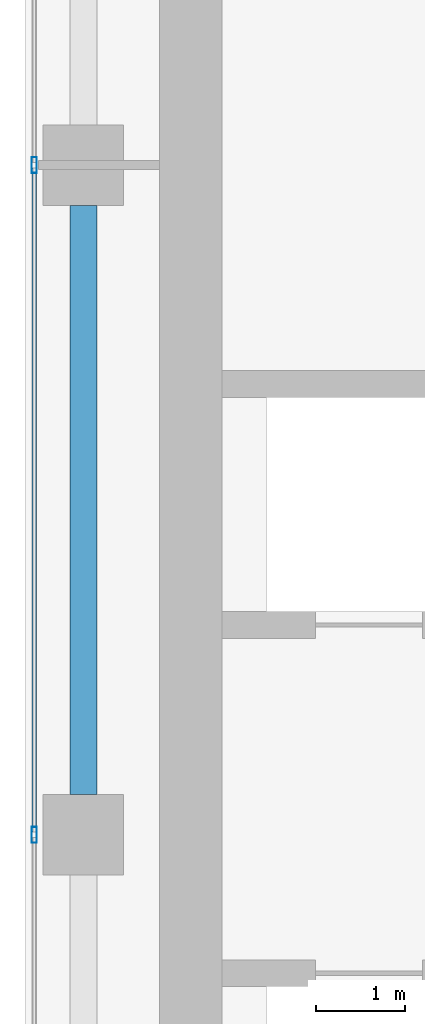
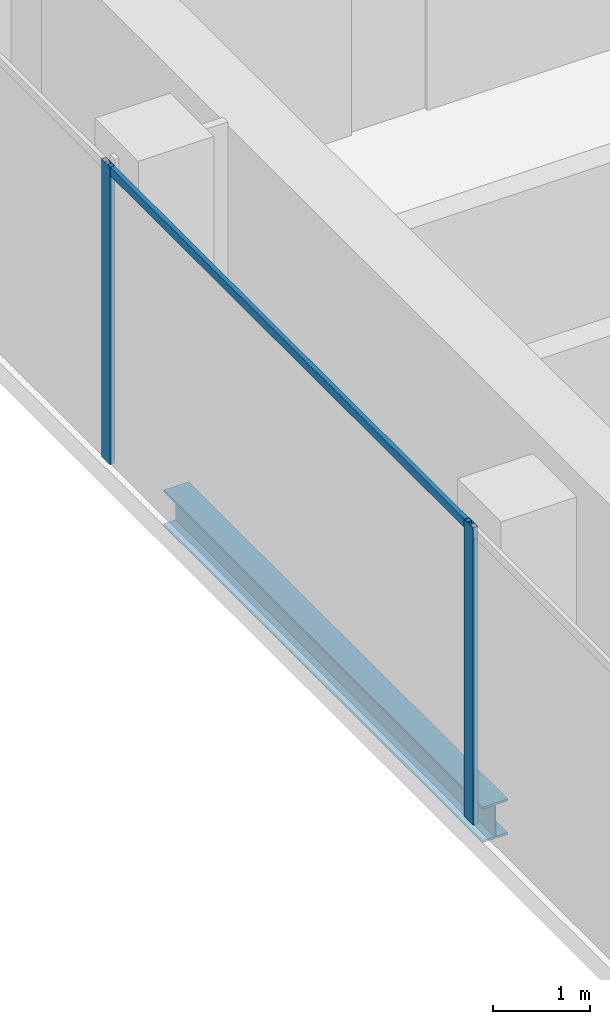
# One storey, part 8 of 35: 3 members, 1 beam, 1 element without a shape of its own.
"""IFC4 building model written with IfcOpenShell, lengths in metres."""

from ifc_helpers import new_model, si_unit, direction, frame, origin, origin_2d, place, context, subcontext, project, spatial, hollow_rectangle, i_section, extrude, source, transform, mapped, material, material_profile, profile_set, type_object, element, aggregate, save


model = new_model("IFC4")

# Units and contexts
model_context = context("Model", 3, precision=1e-05, world=origin(), true_north=direction((0.0, 1.0)))
body_context = subcontext(model_context, "Body", "Model", "MODEL_VIEW")
ifc_project = project(units=[si_unit("LENGTHUNIT", "METRE"), si_unit("AREAUNIT", "SQUARE_METRE"), si_unit("VOLUMEUNIT", "CUBIC_METRE"), si_unit("PLANEANGLEUNIT", "RADIAN"), si_unit("MASSUNIT", "GRAM", prefix="KILO")], contexts=[model_context])

# Site, building, storey
site_placement = place(None, origin())
site = spatial("IfcSite", under=ifc_project, at=site_placement, CompositionType="ELEMENT")
building_placement = place(site_placement, origin())
building = spatial("IfcBuilding", under=site, at=building_placement, Name="Khomas Fold Tower", CompositionType="ELEMENT")
storey_placement = place(building_placement, frame((0.0, 0.0, 270.199951171875)))
storey = spatial("IfcBuildingStorey", under=building, at=storey_placement, Name="L61", CompositionType="ELEMENT", Elevation=270.199951171875)

# Beam
ifc_material_1 = material(Name="Steel S355", Category="steel")
ifc_material_profile_1 = material_profile(ifc_material_1, i_section(OverallWidth=0.300048828125, OverallDepth=0.449951171875, WebThickness=0.013916015625, FlangeThickness=0.02587890625, at=origin_2d()), Name="HE 450 B")
ifc_profile_set_1 = profile_set([ifc_material_profile_1], Name="Steel S355")
beam_type = type_object("IfcBeamType", Name="HE 450 B spandrel SB4", PredefinedType="SPANDREL", material=ifc_profile_set_1)
shared_shape_1 = source(origin(), body_context, "Body", "SweptSolid", [
    extrude(i_section(OverallWidth=0.300048828125, OverallDepth=0.449951171875, WebThickness=0.013916015625, FlangeThickness=0.02587890625, at=origin_2d()), origin(), (0.0, 0.0, 1.0), 6.60009765625),
])
beam_placement = place(storey_placement, frame((5.14990234375, 27.449951171875, -0.474853515625), z_axis=(0.0, 1.0, 0.0), x_axis=(-1.0, 0.0, 0.0)))
element("IfcBeam", 1, at=beam_placement, inside=storey, type_object=beam_type, Name="SB4", PredefinedType="SPANDREL", context=body_context, shape_type="MappedRepresentation", body=[
    mapped(shared_shape_1, transform((0.0, 0.0, 0.0))),
])

# Curtain wall, members
ifc_material_2 = material(Name="Aluminium framed double glazing", Category="aluminium")
curtain_wall_type = type_object("IfcCurtainWallType", Name="SK-Unitised clear-glass wall, office floors CW2", PredefinedType="NOTDEFINED", material=ifc_material_2)
curtain_wall_placement = place(storey_placement, origin())
curtain_wall = element("IfcCurtainWall", 2, at=curtain_wall_placement, inside=storey, type_object=curtain_wall_type, Name="CW2 run L61 09-0", PredefinedType="NOTDEFINED")
ifc_material_3 = material(Name="Aluminium", Category="aluminium")
ifc_material_profile_2 = material_profile(ifc_material_3, hollow_rectangle(XDim=0.06005859375, YDim=0.179931640625, WallThickness=0.00390625, at=origin_2d()), Name="SK-Unitised clear-glass wall, office floors mullion CW2-M")
ifc_profile_set_2 = profile_set([ifc_material_profile_2], Name="Aluminium")
member_type_1 = type_object("IfcMemberType", Name="SK-Unitised clear-glass wall, office floors mullion CW2-M", PredefinedType="MULLION", material=ifc_profile_set_2)
shared_shape_2 = source(origin(), body_context, "Body", "SweptSolid", [
    extrude(hollow_rectangle(XDim=0.06005859375, YDim=0.179931640625, WallThickness=0.00390625, at=origin_2d()), origin(), (0.0, 0.0, 1.0), 3.75),
])
member_1_placement = place(storey_placement, frame((4.60009765625, 34.5, 0.0), z_axis=(0.0, 0.0, 1.0), x_axis=(1.0, 0.0, 0.0)))
member_1 = element("IfcMember", 3, at=member_1_placement, type_object=member_type_1, Name="CW2 mullion 3", PredefinedType="MULLION", context=body_context, shape_type="MappedRepresentation", body=[
    mapped(shared_shape_2, transform((0.0, 0.0, 0.0))),
])
member_2_placement = place(storey_placement, frame((4.60009765625, 27.0, 0.0), z_axis=(0.0, 0.0, 1.0), x_axis=(1.0, 0.0, 0.0)))
member_2 = element("IfcMember", 4, at=member_2_placement, type_object=member_type_1, Name="CW2 mullion 4", PredefinedType="MULLION", context=body_context, shape_type="MappedRepresentation", body=[
    mapped(shared_shape_2, transform((0.0, 0.0, 0.0))),
])
ifc_material_4 = material(Name="Aluminium", Category="aluminium")
ifc_material_profile_3 = material_profile(ifc_material_4, hollow_rectangle(XDim=0.050048828125, YDim=0.110107421875, WallThickness=0.00390625, at=origin_2d()), Name="SK-Unitised clear-glass wall, office floors transom CW2-T")
ifc_profile_set_3 = profile_set([ifc_material_profile_3], Name="Aluminium")
member_type_2 = type_object("IfcMemberType", Name="SK-Unitised clear-glass wall, office floors transom CW2-T", PredefinedType="USERDEFINED", material=ifc_profile_set_3)
shared_shape_3 = source(origin(), body_context, "Body", "SweptSolid", [
    extrude(hollow_rectangle(XDim=0.050048828125, YDim=0.110107421875, WallThickness=0.00390625, at=origin_2d()), origin(), (0.0, 0.0, 1.0), 7.43994140625),
])
member_3_placement = place(storey_placement, frame((4.60009765625, 34.469970703125, 3.695068359375), z_axis=(0.0, -1.0, 0.0), x_axis=(1.0, 0.0, 0.0)))
member_3 = element("IfcMember", 5, at=member_3_placement, type_object=member_type_2, Name="CW2 transom 3", ObjectType="TRANSOM", PredefinedType="USERDEFINED", context=body_context, shape_type="MappedRepresentation", body=[
    mapped(shared_shape_3, transform((0.0, 0.0, 0.0))),
])
aggregate(curtain_wall, [member_1, member_2, member_3])

save(model, "model.ifc")
